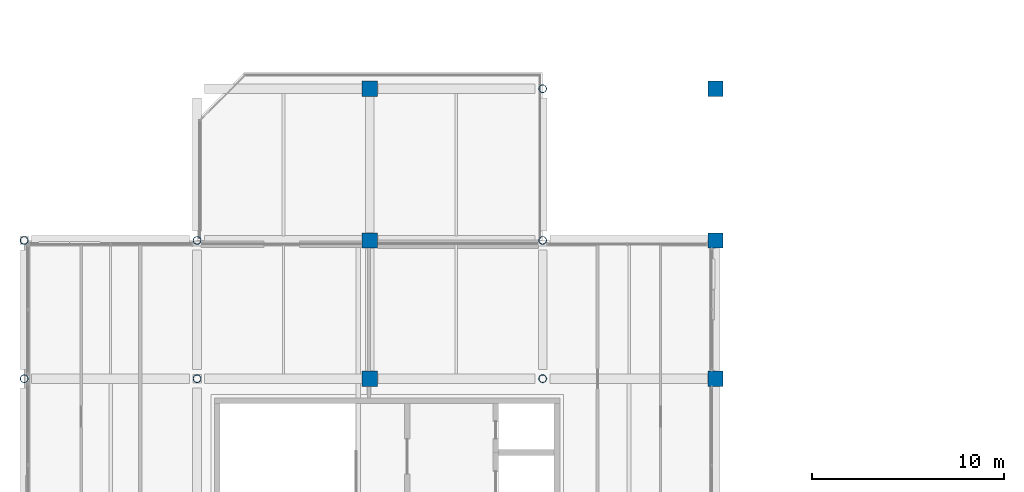
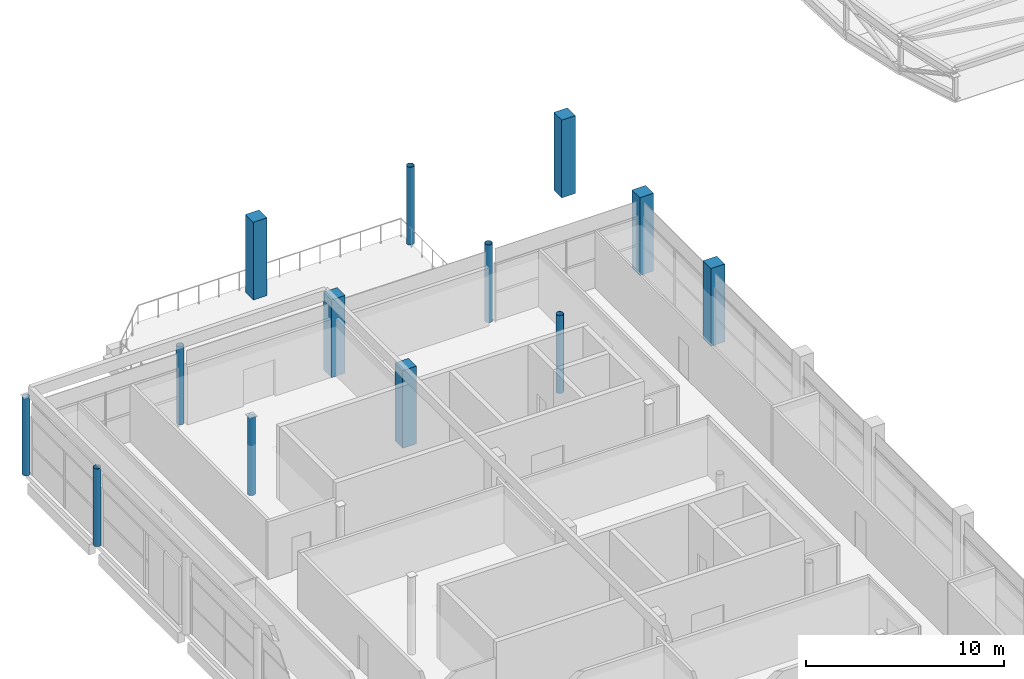
# One storey, part 4 of 114: 13 columns.
"""IFC4 building model written with IfcOpenShell, lengths in metres."""

from ifc_helpers import new_model, si_unit, direction, frame, origin, origin_2d, place, context, subcontext, project, spatial, rectangle, hollow_circle, extrude, material, material_profile, profile_set, type_object, element, save


model = new_model("IFC4")

# Units and contexts
model_context = context("Model", 3, precision=1e-05, world=origin(), true_north=direction((0.0, 1.0)))
body_context = subcontext(model_context, "Body", "Model", "MODEL_VIEW")
ifc_project = project(units=[si_unit("LENGTHUNIT", "METRE"), si_unit("AREAUNIT", "SQUARE_METRE"), si_unit("VOLUMEUNIT", "CUBIC_METRE"), si_unit("PLANEANGLEUNIT", "RADIAN"), si_unit("MASSUNIT", "GRAM", prefix="KILO"), si_unit("THERMODYNAMICTEMPERATUREUNIT", "KELVIN"), si_unit("POWERUNIT", "WATT")], contexts=[model_context])

# Site, building, storey
site_placement = place(None, origin())
site = spatial("IfcSite", under=ifc_project, at=site_placement, CompositionType="ELEMENT")
building_placement = place(site_placement, origin())
building = spatial("IfcBuilding", under=site, at=building_placement, Name="Sindhuravela Promenade Stadium", CompositionType="ELEMENT")
storey_placement = place(building_placement, frame((0.0, 0.0, 24.0)))
storey = spatial("IfcBuildingStorey", under=building, at=storey_placement, Name="L05", CompositionType="ELEMENT", Elevation=24.0)

# Columns
ifc_material_1 = material(Name="Concrete M40", Category="concrete")
ifc_material_profile_1 = material_profile(ifc_material_1, rectangle(XDim=0.800048828125, YDim=0.800048828125, at=origin_2d()), Name="RC 800x800")
ifc_profile_set_1 = profile_set([ifc_material_profile_1], Name="Concrete M40")
column_type_1 = type_object("IfcColumnType", Name="RC-CL-800x800", PredefinedType="COLUMN", material=ifc_profile_set_1)
for number, where, z_axis, x_axis, name in (
    (1, (18.0, 109.800048828125, 0.0), (0.0, 0.0, 1.0), (1.0, 0.0, 0.0), "Column C11 WEST L05"),
    (2, (18.0, 117.0, 0.0), (0.0, 0.0, 1.0), (1.0, 0.0, 0.0), "Column C11 WEST L05"),
    (3, (18.0, 124.89990234375, 0.0), (0.0, 0.0, 1.0), (1.0, 0.0, 0.0), "Column C11 WEST L05"),
    (4, (36.0, 109.800048828125, 0.0), (0.0, 0.0, 1.0), (1.0, 0.0, 0.0), "Column C11 WEST L05"),
    (5, (36.0, 117.0, 0.0), (0.0, 0.0, 1.0), (1.0, 0.0, 0.0), "Column C11 WEST L05"),
    (6, (36.0, 124.89990234375, 0.0), (0.0, 0.0, 1.0), (1.0, 0.0, 0.0), "Column C11 WEST L05"),
):
    element("IfcColumn", number, at=place(storey_placement, frame(where, z_axis=z_axis, x_axis=x_axis)), inside=storey, type_object=column_type_1, Name=name, PredefinedType="COLUMN", context=body_context, shape_type="SweptSolid", body=[
        extrude(rectangle(XDim=0.800048828125, YDim=0.800048828125, at=origin_2d()), origin(), (0.0, 0.0, 1.0), 4.800048828125),
    ])
ifc_material_2 = material(Name="Steel E350 (IS 2062 E350BR)", Category="steel")
ifc_material_profile_2 = material_profile(ifc_material_2, hollow_circle(Radius=0.203125, WallThickness=0.013916015625, at=origin_2d()), Name="CHS 406.4x14")
ifc_profile_set_2 = profile_set([ifc_material_profile_2], Name="Steel E350 (IS 2062 E350BR)")
column_type_2 = type_object("IfcColumnType", Name="ST-CL-CHS406", PredefinedType="COLUMN", material=ifc_profile_set_2)
for number, where, z_axis, x_axis, name in (
    (7, (0.0, 109.800048828125, 0.0), (0.0, 0.0, 1.0), (1.0, 0.0, 0.0), "Column SC05 WEST L05"),
    (8, (0.0, 117.0, 0.0), (0.0, 0.0, 1.0), (1.0, 0.0, 0.0), "Column SC05 WEST L05"),
    (9, (9.0, 109.800048828125, 0.0), (0.0, 0.0, 1.0), (1.0, 0.0, 0.0), "Column SC05 WEST L05"),
    (10, (9.0, 117.0, 0.0), (0.0, 0.0, 1.0), (1.0, 0.0, 0.0), "Column SC05 WEST L05"),
    (11, (27.0, 109.800048828125, 0.0), (0.0, 0.0, 1.0), (1.0, 0.0, 0.0), "Column SC05 WEST L05"),
    (12, (27.0, 117.0, 0.0), (0.0, 0.0, 1.0), (1.0, 0.0, 0.0), "Column SC05 WEST L05"),
    (13, (27.0, 124.89990234375, 0.0), (0.0, 0.0, 1.0), (1.0, 0.0, 0.0), "Column SC05 WEST L05"),
):
    element("IfcColumn", number, at=place(storey_placement, frame(where, z_axis=z_axis, x_axis=x_axis)), inside=storey, type_object=column_type_2, Name=name, PredefinedType="COLUMN", context=body_context, shape_type="SweptSolid", body=[
        extrude(hollow_circle(Radius=0.203125, WallThickness=0.013916015625, at=origin_2d()), origin(), (0.0, 0.0, 1.0), 4.800048828125),
    ])

save(model, "model.ifc")
